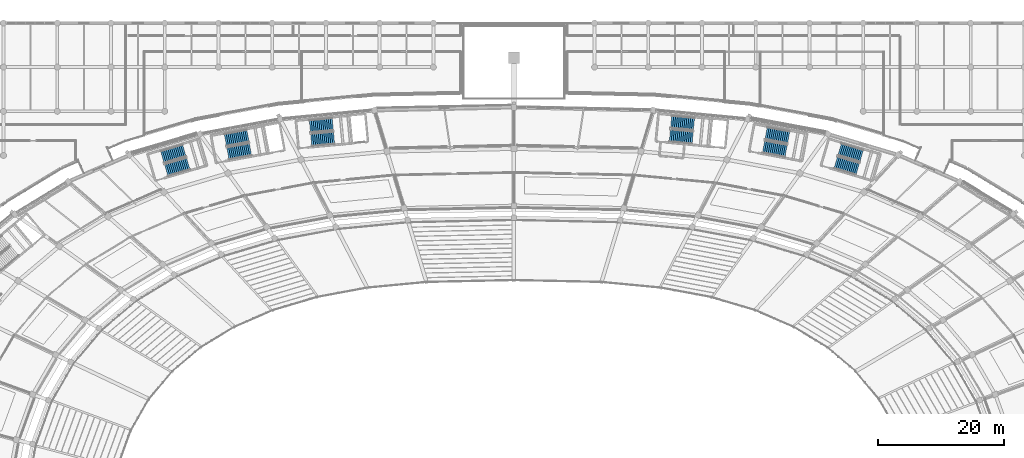
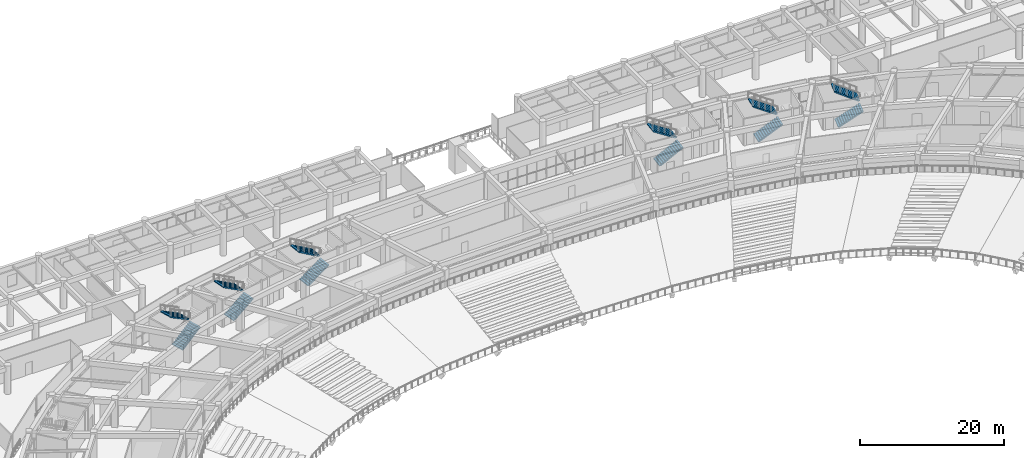
# One storey, part 119 of 152: 12 stair flights, 6 elements without a shape of their own.
"""IFC4 building model written with IfcOpenShell, lengths in metres."""

from ifc_helpers import new_model, si_unit, direction, frame, origin, place, context, subcontext, project, spatial, polyline, outline, extrude, material, type_object, element, aggregate, save


model = new_model("IFC4")

# Units and contexts
model_context = context("Model", 3, precision=1e-05, world=origin(), true_north=direction((0.0, 1.0)))
body_context = subcontext(model_context, "Body", "Model", "MODEL_VIEW")
ifc_project = project(units=[si_unit("LENGTHUNIT", "METRE"), si_unit("AREAUNIT", "SQUARE_METRE"), si_unit("VOLUMEUNIT", "CUBIC_METRE"), si_unit("PLANEANGLEUNIT", "RADIAN"), si_unit("MASSUNIT", "GRAM", prefix="KILO")], contexts=[model_context])

# Site, building, storey
site_placement = place(None, origin())
site = spatial("IfcSite", under=ifc_project, at=site_placement, CompositionType="ELEMENT")
building_placement = place(site_placement, origin())
building = spatial("IfcBuilding", under=site, at=building_placement, Name="Mphavela Belvedere Stadium", CompositionType="ELEMENT")
storey_placement = place(building_placement, frame((0.0, 0.0, 5.39990234375)))
storey = spatial("IfcBuildingStorey", under=building, at=storey_placement, Name="L01", CompositionType="ELEMENT", Elevation=5.39990234375)

# Stair, stair flights
ifc_material_1 = material(Name="Concrete C40/50", Category="concrete")
stair_type_1 = type_object("IfcStairType", Name="STR-HALF-TURN-2", PredefinedType="HALF_TURN_STAIR", material=ifc_material_1)
stair_1_placement = place(storey_placement, origin())
stair_1 = element("IfcStair", 1, at=stair_1_placement, inside=storey, type_object=stair_type_1, Name="L01 Escape stair core C02", PredefinedType="HALF_TURN_STAIR")
ifc_material_2 = material(Name="Concrete C40/50", Category="concrete")
stair_flight_type = type_object("IfcStairFlightType", Name="SFL-CORE-152", PredefinedType="STRAIGHT", material=ifc_material_2)
stair_flight_1_placement = place(storey_placement, frame((69.651611328125, 153.302490234375, 0.0), z_axis=(0.0, 0.0, 1.0), x_axis=(0.983095502692, 0.183093507769, 0.0)))
stair_flight_1 = element("IfcStairFlight", 2, at=stair_flight_1_placement, type_object=stair_flight_type, Name="ST-C02 flight 1", NumberOfRisers=13, NumberOfTreads=12, PredefinedType="STRAIGHT", RiserHeight=0.184615385, TreadLength=0.302, context=body_context, shape_type="SweptSolid", body=[
    extrude(outline(polyline([(0.0, 0.0), (0.0, 0.1845703125), (0.302001953125, 0.1845703125), (0.302001953125, 0.369140625), (0.60400390625, 0.369140625), (0.60400390625, 0.553955078125), (0.906005859375, 0.553955078125), (0.906005859375, 0.738525390625), (1.2080078125, 0.738525390625), (1.2080078125, 0.923095703125), (1.510009765625, 0.923095703125), (1.510009765625, 1.107666015625), (1.81201171875, 1.107666015625), (1.81201171875, 1.292236328125), (2.114013671875, 1.292236328125), (2.114013671875, 1.476806640625), (2.416015625, 1.476806640625), (2.416015625, 1.66162109375), (2.718017578125, 1.66162109375), (2.718017578125, 1.84619140625), (3.02001953125, 1.84619140625), (3.02001953125, 2.03076171875), (3.322021484375, 2.03076171875), (3.322021484375, 2.21533203125), (3.6240234375, 2.21533203125), (3.6240234375, 2.39990234375), (3.6240234375, 2.039794921875), (0.287353515625, 0.0), (0.0, 0.0)])), frame((0.0, 1.010009765625, 0.0), z_axis=(0.0, -1.0, 0.0), x_axis=(1.0, 0.0, 0.0)), (0.0, 0.0, 1.0), 2.02001953125),
])
stair_flight_2_placement = place(storey_placement, frame((72.817138671875, 156.09912109375, 2.400146484375), z_axis=(0.0, 0.0, 1.0), x_axis=(-0.983095502692, -0.183093507769, 0.0)))
stair_flight_2 = element("IfcStairFlight", 3, at=stair_flight_2_placement, type_object=stair_flight_type, Name="ST-C02 flight 2", NumberOfRisers=13, NumberOfTreads=12, PredefinedType="STRAIGHT", RiserHeight=0.184615385, TreadLength=0.302, context=body_context, shape_type="SweptSolid", body=[
    extrude(outline(polyline([(0.0, 0.0), (0.0, 0.1845703125), (0.302001953125, 0.1845703125), (0.302001953125, 0.369140625), (0.60400390625, 0.369140625), (0.60400390625, 0.553955078125), (0.906005859375, 0.553955078125), (0.906005859375, 0.738525390625), (1.2080078125, 0.738525390625), (1.2080078125, 0.923095703125), (1.510009765625, 0.923095703125), (1.510009765625, 1.107666015625), (1.81201171875, 1.107666015625), (1.81201171875, 1.292236328125), (2.114013671875, 1.292236328125), (2.114013671875, 1.476806640625), (2.416015625, 1.476806640625), (2.416015625, 1.66162109375), (2.718017578125, 1.66162109375), (2.718017578125, 1.84619140625), (3.02001953125, 1.84619140625), (3.02001953125, 2.03076171875), (3.322021484375, 2.03076171875), (3.322021484375, 2.21533203125), (3.6240234375, 2.21533203125), (3.6240234375, 2.39990234375), (3.6240234375, 2.039794921875), (0.287353515625, 0.0), (0.0, 0.0)])), frame((0.0, 1.010009765625, 0.0), z_axis=(0.0, -1.0, 0.0), x_axis=(1.0, 0.0, 0.0)), (0.0, 0.0, 1.0), 2.02001953125),
])
aggregate(stair_1, [stair_flight_1, stair_flight_2])

ifc_material_3 = material(Name="Concrete C40/50", Category="concrete")
stair_type_2 = type_object("IfcStairType", Name="STR-HALF-TURN-3", PredefinedType="HALF_TURN_STAIR", material=ifc_material_3)
stair_2_placement = place(storey_placement, origin())
stair_2 = element("IfcStair", 4, at=stair_2_placement, inside=storey, type_object=stair_type_2, Name="L01 Escape stair core C03", PredefinedType="HALF_TURN_STAIR")
stair_flight_3_placement = place(storey_placement, frame((139.716796875, 156.15625, 0.0), z_axis=(0.0, 0.0, 1.0), x_axis=(0.995479460536, -0.094977069084, 0.0)))
stair_flight_3 = element("IfcStairFlight", 5, at=stair_flight_3_placement, type_object=stair_flight_type, Name="ST-C03 flight 1", NumberOfRisers=13, NumberOfTreads=12, PredefinedType="STRAIGHT", RiserHeight=0.184615385, TreadLength=0.302, context=body_context, shape_type="SweptSolid", body=[
    extrude(outline(polyline([(0.0, 0.0), (0.0, 0.1845703125), (0.302001953125, 0.1845703125), (0.302001953125, 0.369140625), (0.60400390625, 0.369140625), (0.60400390625, 0.553955078125), (0.906005859375, 0.553955078125), (0.906005859375, 0.738525390625), (1.2080078125, 0.738525390625), (1.2080078125, 0.923095703125), (1.510009765625, 0.923095703125), (1.510009765625, 1.107666015625), (1.81201171875, 1.107666015625), (1.81201171875, 1.292236328125), (2.114013671875, 1.292236328125), (2.114013671875, 1.476806640625), (2.416015625, 1.476806640625), (2.416015625, 1.66162109375), (2.718017578125, 1.66162109375), (2.718017578125, 1.84619140625), (3.02001953125, 1.84619140625), (3.02001953125, 2.03076171875), (3.322021484375, 2.03076171875), (3.322021484375, 2.21533203125), (3.6240234375, 2.21533203125), (3.6240234375, 2.39990234375), (3.6240234375, 2.039794921875), (0.287353515625, 0.0), (0.0, 0.0)])), frame((0.0, 1.010009765625, 0.0), z_axis=(0.0, -1.0, 0.0), x_axis=(1.0, 0.0, 0.0)), (0.0, 0.0, 1.0), 2.02001953125),
])
stair_flight_4_placement = place(storey_placement, frame((143.530517578125, 157.97216796875, 2.400146484375), z_axis=(0.0, 0.0, 1.0), x_axis=(-0.995479460536, 0.094977069084, 0.0)))
stair_flight_4 = element("IfcStairFlight", 6, at=stair_flight_4_placement, type_object=stair_flight_type, Name="ST-C03 flight 2", NumberOfRisers=13, NumberOfTreads=12, PredefinedType="STRAIGHT", RiserHeight=0.184615385, TreadLength=0.302, context=body_context, shape_type="SweptSolid", body=[
    extrude(outline(polyline([(0.0, 0.0), (0.0, 0.1845703125), (0.302001953125, 0.1845703125), (0.302001953125, 0.369140625), (0.60400390625, 0.369140625), (0.60400390625, 0.553955078125), (0.906005859375, 0.553955078125), (0.906005859375, 0.738525390625), (1.2080078125, 0.738525390625), (1.2080078125, 0.923095703125), (1.510009765625, 0.923095703125), (1.510009765625, 1.107666015625), (1.81201171875, 1.107666015625), (1.81201171875, 1.292236328125), (2.114013671875, 1.292236328125), (2.114013671875, 1.476806640625), (2.416015625, 1.476806640625), (2.416015625, 1.66162109375), (2.718017578125, 1.66162109375), (2.718017578125, 1.84619140625), (3.02001953125, 1.84619140625), (3.02001953125, 2.03076171875), (3.322021484375, 2.03076171875), (3.322021484375, 2.21533203125), (3.6240234375, 2.21533203125), (3.6240234375, 2.39990234375), (3.6240234375, 2.039794921875), (0.287353515625, 0.0), (0.0, 0.0)])), frame((0.0, 1.010009765625, 0.0), z_axis=(0.0, -1.0, 0.0), x_axis=(1.0, 0.0, 0.0)), (0.0, 0.0, 1.0), 2.02001953125),
])
aggregate(stair_2, [stair_flight_3, stair_flight_4])

ifc_material_4 = material(Name="Concrete C40/50", Category="concrete")
stair_type_3 = type_object("IfcStairType", Name="STR-HALF-TURN-1", PredefinedType="HALF_TURN_STAIR", material=ifc_material_4)
stair_3_placement = place(storey_placement, origin())
stair_3 = element("IfcStair", 7, at=stair_3_placement, inside=storey, type_object=stair_type_3, Name="L01 Escape stair core C04", PredefinedType="HALF_TURN_STAIR")
stair_flight_5_placement = place(storey_placement, frame((82.85693359375, 155.44775390625, 0.0), z_axis=(0.0, 0.0, 1.0), x_axis=(0.995479460536, 0.094977069084, 0.0)))
stair_flight_5 = element("IfcStairFlight", 8, at=stair_flight_5_placement, type_object=stair_flight_type, Name="ST-C04 flight 1", NumberOfRisers=13, NumberOfTreads=12, PredefinedType="STRAIGHT", RiserHeight=0.184615385, TreadLength=0.302, context=body_context, shape_type="SweptSolid", body=[
    extrude(outline(polyline([(0.0, 0.0), (0.0, 0.1845703125), (0.302001953125, 0.1845703125), (0.302001953125, 0.369140625), (0.60400390625, 0.369140625), (0.60400390625, 0.553955078125), (0.906005859375, 0.553955078125), (0.906005859375, 0.738525390625), (1.2080078125, 0.738525390625), (1.2080078125, 0.923095703125), (1.510009765625, 0.923095703125), (1.510009765625, 1.107666015625), (1.81201171875, 1.107666015625), (1.81201171875, 1.292236328125), (2.114013671875, 1.292236328125), (2.114013671875, 1.476806640625), (2.416015625, 1.476806640625), (2.416015625, 1.66162109375), (2.718017578125, 1.66162109375), (2.718017578125, 1.84619140625), (3.02001953125, 1.84619140625), (3.02001953125, 2.03076171875), (3.322021484375, 2.03076171875), (3.322021484375, 2.21533203125), (3.6240234375, 2.21533203125), (3.6240234375, 2.39990234375), (3.6240234375, 2.039794921875), (0.287353515625, 0.0), (0.0, 0.0)])), frame((0.0, 1.010009765625, 0.0), z_axis=(0.0, -1.0, 0.0), x_axis=(1.0, 0.0, 0.0)), (0.0, 0.0, 1.0), 2.02001953125),
])
stair_flight_6_placement = place(storey_placement, frame((86.258544921875, 157.9521484375, 2.400146484375), z_axis=(0.0, 0.0, 1.0), x_axis=(-0.995479460536, -0.094977069084, 0.0)))
stair_flight_6 = element("IfcStairFlight", 9, at=stair_flight_6_placement, type_object=stair_flight_type, Name="ST-C04 flight 2", NumberOfRisers=13, NumberOfTreads=12, PredefinedType="STRAIGHT", RiserHeight=0.184615385, TreadLength=0.302, context=body_context, shape_type="SweptSolid", body=[
    extrude(outline(polyline([(0.0, 0.0), (0.0, 0.1845703125), (0.302001953125, 0.1845703125), (0.302001953125, 0.369140625), (0.60400390625, 0.369140625), (0.60400390625, 0.553955078125), (0.906005859375, 0.553955078125), (0.906005859375, 0.738525390625), (1.2080078125, 0.738525390625), (1.2080078125, 0.923095703125), (1.510009765625, 0.923095703125), (1.510009765625, 1.107666015625), (1.81201171875, 1.107666015625), (1.81201171875, 1.292236328125), (2.114013671875, 1.292236328125), (2.114013671875, 1.476806640625), (2.416015625, 1.476806640625), (2.416015625, 1.66162109375), (2.718017578125, 1.66162109375), (2.718017578125, 1.84619140625), (3.02001953125, 1.84619140625), (3.02001953125, 2.03076171875), (3.322021484375, 2.03076171875), (3.322021484375, 2.21533203125), (3.6240234375, 2.21533203125), (3.6240234375, 2.39990234375), (3.6240234375, 2.039794921875), (0.287353515625, 0.0), (0.0, 0.0)])), frame((0.0, 1.010009765625, 0.0), z_axis=(0.0, -1.0, 0.0), x_axis=(1.0, 0.0, 0.0)), (0.0, 0.0, 1.0), 2.02001953125),
])
aggregate(stair_3, [stair_flight_5, stair_flight_6])

ifc_material_5 = material(Name="Precast concrete C45/55", Category="concrete")
stair_type_4 = type_object("IfcStairType", Name="STR-TWO-RET-1", PredefinedType="TWO_STRAIGHT_RUN_STAIR", material=ifc_material_5)
stair_4_placement = place(storey_placement, origin())
stair_4 = element("IfcStair", 10, at=stair_4_placement, inside=storey, type_object=stair_type_4, Name="L01 Escape stair core P01", PredefinedType="TWO_STRAIGHT_RUN_STAIR")
stair_flight_7_placement = place(storey_placement, frame((166.023681640625, 151.8837890625, 0.0), z_axis=(0.0, 0.0, 1.0), x_axis=(0.958670893355, -0.284517342588, 0.0)))
stair_flight_7 = element("IfcStairFlight", 11, at=stair_flight_7_placement, type_object=stair_flight_type, Name="ST-P01 flight 1", NumberOfRisers=13, NumberOfTreads=12, PredefinedType="STRAIGHT", RiserHeight=0.184615385, TreadLength=0.302, context=body_context, shape_type="SweptSolid", body=[
    extrude(outline(polyline([(0.0, 0.0), (0.0, 0.1845703125), (0.302001953125, 0.1845703125), (0.302001953125, 0.369140625), (0.60400390625, 0.369140625), (0.60400390625, 0.553955078125), (0.906005859375, 0.553955078125), (0.906005859375, 0.738525390625), (1.2080078125, 0.738525390625), (1.2080078125, 0.923095703125), (1.510009765625, 0.923095703125), (1.510009765625, 1.107666015625), (1.81201171875, 1.107666015625), (1.81201171875, 1.292236328125), (2.114013671875, 1.292236328125), (2.114013671875, 1.476806640625), (2.416015625, 1.476806640625), (2.416015625, 1.66162109375), (2.718017578125, 1.66162109375), (2.718017578125, 1.84619140625), (3.02001953125, 1.84619140625), (3.02001953125, 2.03076171875), (3.322021484375, 2.03076171875), (3.322021484375, 2.21533203125), (3.6240234375, 2.21533203125), (3.6240234375, 2.39990234375), (3.6240234375, 2.039794921875), (0.287353515625, 0.0), (0.0, 0.0)])), frame((0.0, 1.010009765625, 0.0), z_axis=(0.0, -1.0, 0.0), x_axis=(1.0, 0.0, 0.0)), (0.0, 0.0, 1.0), 2.02001953125),
])
stair_flight_8_placement = place(storey_placement, frame((170.115478515625, 152.932861328125, 2.400146484375), z_axis=(0.0, 0.0, 1.0), x_axis=(-0.958670893355, 0.284517342588, 0.0)))
stair_flight_8 = element("IfcStairFlight", 12, at=stair_flight_8_placement, type_object=stair_flight_type, Name="ST-P01 flight 2", NumberOfRisers=13, NumberOfTreads=12, PredefinedType="STRAIGHT", RiserHeight=0.184615385, TreadLength=0.302, context=body_context, shape_type="SweptSolid", body=[
    extrude(outline(polyline([(0.0, 0.0), (0.0, 0.1845703125), (0.302001953125, 0.1845703125), (0.302001953125, 0.369140625), (0.60400390625, 0.369140625), (0.60400390625, 0.553955078125), (0.906005859375, 0.553955078125), (0.906005859375, 0.738525390625), (1.2080078125, 0.738525390625), (1.2080078125, 0.923095703125), (1.510009765625, 0.923095703125), (1.510009765625, 1.107666015625), (1.81201171875, 1.107666015625), (1.81201171875, 1.292236328125), (2.114013671875, 1.292236328125), (2.114013671875, 1.476806640625), (2.416015625, 1.476806640625), (2.416015625, 1.66162109375), (2.718017578125, 1.66162109375), (2.718017578125, 1.84619140625), (3.02001953125, 1.84619140625), (3.02001953125, 2.03076171875), (3.322021484375, 2.03076171875), (3.322021484375, 2.21533203125), (3.6240234375, 2.21533203125), (3.6240234375, 2.39990234375), (3.6240234375, 2.039794921875), (0.287353515625, 0.0), (0.0, 0.0)])), frame((0.0, 1.010009765625, 0.0), z_axis=(0.0, -1.0, 0.0), x_axis=(1.0, 0.0, 0.0)), (0.0, 0.0, 1.0), 2.02001953125),
])
aggregate(stair_4, [stair_flight_7, stair_flight_8])

ifc_material_6 = material(Name="Precast concrete C45/55", Category="concrete")
stair_type_5 = type_object("IfcStairType", Name="STR-TWO-RET-2", PredefinedType="TWO_STRAIGHT_RUN_STAIR", material=ifc_material_6)
stair_5_placement = place(storey_placement, origin())
stair_5 = element("IfcStair", 13, at=stair_5_placement, inside=storey, type_object=stair_type_5, Name="L01 Escape stair core P02", PredefinedType="TWO_STRAIGHT_RUN_STAIR")
stair_flight_9_placement = place(storey_placement, frame((154.577392578125, 154.377197265625, 0.0), z_axis=(0.0, 0.0, 1.0), x_axis=(0.983095502692, -0.183093507769, 0.0)))
stair_flight_9 = element("IfcStairFlight", 14, at=stair_flight_9_placement, type_object=stair_flight_type, Name="ST-P02 flight 1", NumberOfRisers=13, NumberOfTreads=12, PredefinedType="STRAIGHT", RiserHeight=0.184615385, TreadLength=0.302, context=body_context, shape_type="SweptSolid", body=[
    extrude(outline(polyline([(0.0, 0.0), (0.0, 0.1845703125), (0.302001953125, 0.1845703125), (0.302001953125, 0.369140625), (0.60400390625, 0.369140625), (0.60400390625, 0.553955078125), (0.906005859375, 0.553955078125), (0.906005859375, 0.738525390625), (1.2080078125, 0.738525390625), (1.2080078125, 0.923095703125), (1.510009765625, 0.923095703125), (1.510009765625, 1.107666015625), (1.81201171875, 1.107666015625), (1.81201171875, 1.292236328125), (2.114013671875, 1.292236328125), (2.114013671875, 1.476806640625), (2.416015625, 1.476806640625), (2.416015625, 1.66162109375), (2.718017578125, 1.66162109375), (2.718017578125, 1.84619140625), (3.02001953125, 1.84619140625), (3.02001953125, 2.03076171875), (3.322021484375, 2.03076171875), (3.322021484375, 2.21533203125), (3.6240234375, 2.21533203125), (3.6240234375, 2.39990234375), (3.6240234375, 2.039794921875), (0.287353515625, 0.0), (0.0, 0.0)])), frame((0.0, 1.010009765625, 0.0), z_axis=(0.0, -1.0, 0.0), x_axis=(1.0, 0.0, 0.0)), (0.0, 0.0, 1.0), 2.02001953125),
])
stair_flight_10_placement = place(storey_placement, frame((158.53759765625, 155.846923828125, 2.400146484375), z_axis=(0.0, 0.0, 1.0), x_axis=(-0.983095502692, 0.183093507769, 0.0)))
stair_flight_10 = element("IfcStairFlight", 15, at=stair_flight_10_placement, type_object=stair_flight_type, Name="ST-P02 flight 2", NumberOfRisers=13, NumberOfTreads=12, PredefinedType="STRAIGHT", RiserHeight=0.184615385, TreadLength=0.302, context=body_context, shape_type="SweptSolid", body=[
    extrude(outline(polyline([(0.0, 0.0), (0.0, 0.1845703125), (0.302001953125, 0.1845703125), (0.302001953125, 0.369140625), (0.60400390625, 0.369140625), (0.60400390625, 0.553955078125), (0.906005859375, 0.553955078125), (0.906005859375, 0.738525390625), (1.2080078125, 0.738525390625), (1.2080078125, 0.923095703125), (1.510009765625, 0.923095703125), (1.510009765625, 1.107666015625), (1.81201171875, 1.107666015625), (1.81201171875, 1.292236328125), (2.114013671875, 1.292236328125), (2.114013671875, 1.476806640625), (2.416015625, 1.476806640625), (2.416015625, 1.66162109375), (2.718017578125, 1.66162109375), (2.718017578125, 1.84619140625), (3.02001953125, 1.84619140625), (3.02001953125, 2.03076171875), (3.322021484375, 2.03076171875), (3.322021484375, 2.21533203125), (3.6240234375, 2.21533203125), (3.6240234375, 2.39990234375), (3.6240234375, 2.039794921875), (0.287353515625, 0.0), (0.0, 0.0)])), frame((0.0, 1.010009765625, 0.0), z_axis=(0.0, -1.0, 0.0), x_axis=(1.0, 0.0, 0.0)), (0.0, 0.0, 1.0), 2.02001953125),
])
aggregate(stair_5, [stair_flight_9, stair_flight_10])

stair_6_placement = place(storey_placement, origin())
stair_6 = element("IfcStair", 16, at=stair_6_placement, inside=storey, type_object=stair_type_4, Name="L01 Escape stair core P03", PredefinedType="TWO_STRAIGHT_RUN_STAIR")
stair_flight_11_placement = place(storey_placement, frame((59.873046875, 150.666015625, 0.0), z_axis=(0.0, 0.0, 1.0), x_axis=(0.958670893355, 0.284517342588, 0.0)))
stair_flight_11 = element("IfcStairFlight", 17, at=stair_flight_11_placement, type_object=stair_flight_type, Name="ST-P03 flight 1", NumberOfRisers=13, NumberOfTreads=12, PredefinedType="STRAIGHT", RiserHeight=0.184615385, TreadLength=0.302, context=body_context, shape_type="SweptSolid", body=[
    extrude(outline(polyline([(0.0, 0.0), (0.0, 0.1845703125), (0.302001953125, 0.1845703125), (0.302001953125, 0.369140625), (0.60400390625, 0.369140625), (0.60400390625, 0.553955078125), (0.906005859375, 0.553955078125), (0.906005859375, 0.738525390625), (1.2080078125, 0.738525390625), (1.2080078125, 0.923095703125), (1.510009765625, 0.923095703125), (1.510009765625, 1.107666015625), (1.81201171875, 1.107666015625), (1.81201171875, 1.292236328125), (2.114013671875, 1.292236328125), (2.114013671875, 1.476806640625), (2.416015625, 1.476806640625), (2.416015625, 1.66162109375), (2.718017578125, 1.66162109375), (2.718017578125, 1.84619140625), (3.02001953125, 1.84619140625), (3.02001953125, 2.03076171875), (3.322021484375, 2.03076171875), (3.322021484375, 2.21533203125), (3.6240234375, 2.21533203125), (3.6240234375, 2.39990234375), (3.6240234375, 2.039794921875), (0.287353515625, 0.0), (0.0, 0.0)])), frame((0.0, 1.010009765625, 0.0), z_axis=(0.0, -1.0, 0.0), x_axis=(1.0, 0.0, 0.0)), (0.0, 0.0, 1.0), 2.02001953125),
])
stair_flight_12_placement = place(storey_placement, frame((62.72998046875, 153.77734375, 2.400146484375), z_axis=(0.0, 0.0, 1.0), x_axis=(-0.958670893355, -0.284517342588, 0.0)))
stair_flight_12 = element("IfcStairFlight", 18, at=stair_flight_12_placement, type_object=stair_flight_type, Name="ST-P03 flight 2", NumberOfRisers=13, NumberOfTreads=12, PredefinedType="STRAIGHT", RiserHeight=0.184615385, TreadLength=0.302, context=body_context, shape_type="SweptSolid", body=[
    extrude(outline(polyline([(0.0, 0.0), (0.0, 0.1845703125), (0.302001953125, 0.1845703125), (0.302001953125, 0.369140625), (0.60400390625, 0.369140625), (0.60400390625, 0.553955078125), (0.906005859375, 0.553955078125), (0.906005859375, 0.738525390625), (1.2080078125, 0.738525390625), (1.2080078125, 0.923095703125), (1.510009765625, 0.923095703125), (1.510009765625, 1.107666015625), (1.81201171875, 1.107666015625), (1.81201171875, 1.292236328125), (2.114013671875, 1.292236328125), (2.114013671875, 1.476806640625), (2.416015625, 1.476806640625), (2.416015625, 1.66162109375), (2.718017578125, 1.66162109375), (2.718017578125, 1.84619140625), (3.02001953125, 1.84619140625), (3.02001953125, 2.03076171875), (3.322021484375, 2.03076171875), (3.322021484375, 2.21533203125), (3.6240234375, 2.21533203125), (3.6240234375, 2.39990234375), (3.6240234375, 2.039794921875), (0.287353515625, 0.0), (0.0, 0.0)])), frame((0.0, 1.010009765625, 0.0), z_axis=(0.0, -1.0, 0.0), x_axis=(1.0, 0.0, 0.0)), (0.0, 0.0, 1.0), 2.02001953125),
])
aggregate(stair_6, [stair_flight_11, stair_flight_12])

save(model, "model.ifc")
